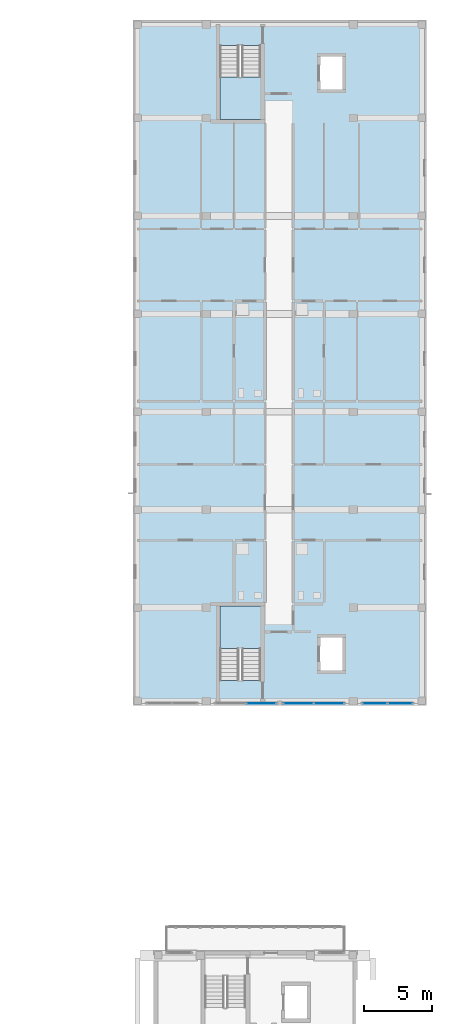
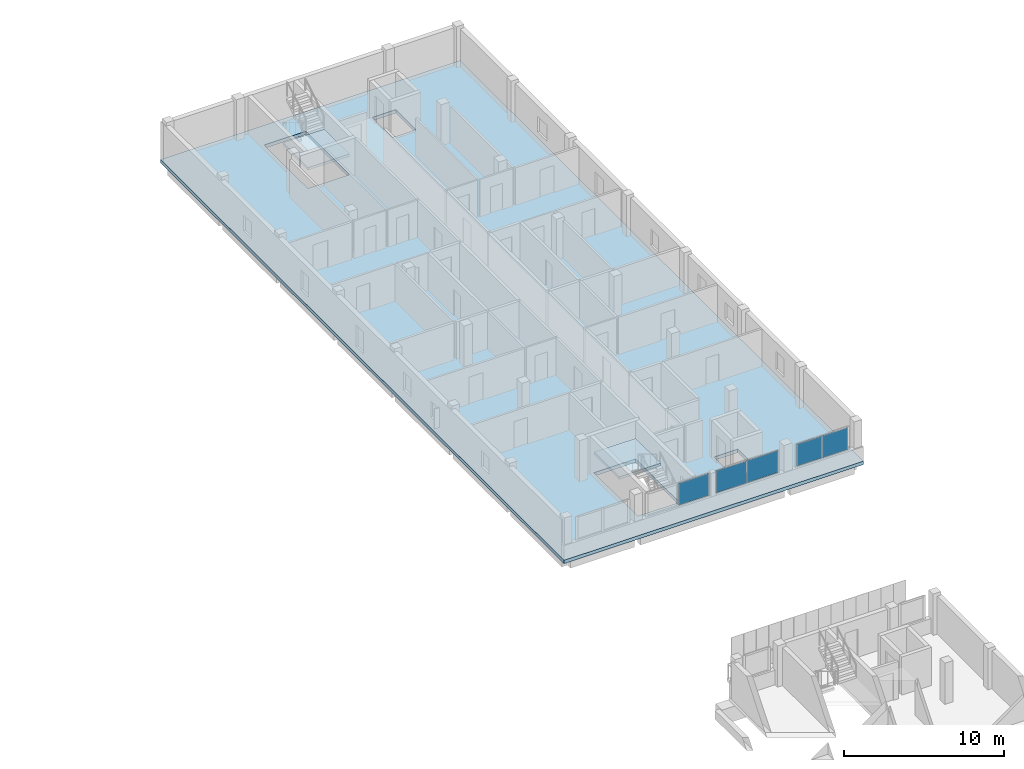
# One storey, part 12 of 38: 5 plates, 3 slabs, 5 elements without a shape of their own.
"""IFC4 building model written with IfcOpenShell, lengths in metres."""

from ifc_helpers import new_model, si_unit, derived_unit, direction, frame, origin, origin_2d, place, context, subcontext, project, spatial, polyline, rectangle, outline, extrude, material, layer, layer_set, type_object, element, aggregate, save


model = new_model("IFC4")

# Units and contexts
model_context = context("Model", 3, precision=1e-05, world=origin(), true_north=direction((0.0, 1.0)))
body_context = subcontext(model_context, "Body", "Model", "MODEL_VIEW")
ifc_project = project(units=[si_unit("LENGTHUNIT", "METRE"), si_unit("AREAUNIT", "SQUARE_METRE"), si_unit("VOLUMEUNIT", "CUBIC_METRE"), si_unit("PLANEANGLEUNIT", "RADIAN"), si_unit("MASSUNIT", "GRAM", prefix="KILO"), derived_unit("THERMALTRANSMITTANCEUNIT", [(si_unit("MASSUNIT", "GRAM", prefix="KILO"), 1), (si_unit("TIMEUNIT", "SECOND"), -3), (si_unit("THERMODYNAMICTEMPERATUREUNIT", "KELVIN"), -1)])], contexts=[model_context])

# Site, building, storey
site_placement = place(None, origin())
site = spatial("IfcSite", under=ifc_project, at=site_placement, CompositionType="ELEMENT")
building_placement = place(site_placement, origin())
building = spatial("IfcBuilding", under=site, at=building_placement, Name="Ochrekiln Boulevard Commons", CompositionType="ELEMENT")
storey_placement = place(building_placement, frame((0.0, 0.0, 24.675048828125)))
storey = spatial("IfcBuildingStorey", under=building, at=storey_placement, Name="L07", CompositionType="ELEMENT", Elevation=24.675048828125)

# Curtain wall, plate
ifc_material_1 = material(Name="Bronze-anodized extruded aluminium 6063-T6", Category="aluminium")
ifc_layer_1 = layer(ifc_material_1, 0.18408203125)
ifc_layer_set_1 = layer_set([ifc_layer_1], Name="Bronze-anodized extruded aluminium 6063-T6")
curtain_wall_type = type_object("IfcCurtainWallType", Name="CW-GABLE-B", PredefinedType="USERDEFINED", material=ifc_layer_set_1)
curtain_wall_1_placement = place(storey_placement, origin())
curtain_wall_1 = element("IfcCurtainWall", 1, at=curtain_wall_1_placement, inside=storey, type_object=curtain_wall_type, Name="Block B L07 Courtyard Glazed Gable Curtain Wall 2", ObjectType="GLAZED CURTAIN WALL", PredefinedType="USERDEFINED")
ifc_material_2 = material(Name="Spectrally selective low-E insulated glazing", Category="glass")
ifc_layer_2 = layer(ifc_material_2, 0.02392578125)
ifc_layer_set_2 = layer_set([ifc_layer_2], Name="Spectrally selective low-E insulated glazing")
plate_type_1 = type_object("IfcPlateType", Name="CWP-GLZ-1", PredefinedType="CURTAIN_PANEL", material=ifc_layer_set_2)
plate_1_placement = place(storey_placement, frame((160.638671875, 68.570068359375, 1.1748046875), z_axis=(0.0, 0.0, 1.0), x_axis=(1.0, 0.0, 0.0)))
plate_1 = element("IfcPlate", 2, at=plate_1_placement, type_object=plate_type_1, Name="CW-02 panel 2.1", PredefinedType="CURTAIN_PANEL", context=body_context, shape_type="SweptSolid", body=[
    extrude(rectangle(XDim=2.1923828125, YDim=0.02392578125, at=origin_2d()), origin(), (0.0, 0.0, 1.0), 1.659912109375),
])
aggregate(curtain_wall_1, [plate_1])

# Curtain wall, plates
curtain_wall_2_placement = place(storey_placement, origin())
curtain_wall_2 = element("IfcCurtainWall", 3, at=curtain_wall_2_placement, inside=storey, type_object=curtain_wall_type, Name="Block B L07 Courtyard Glazed Gable Curtain Wall 3", ObjectType="GLAZED CURTAIN WALL", PredefinedType="USERDEFINED")
ifc_layer_3 = layer(ifc_material_2, 0.030029296875)
ifc_layer_set_3 = layer_set([ifc_layer_3], Name="Spectrally selective low-E insulated glazing")
plate_type_2 = type_object("IfcPlateType", Name="CWP-GLZ-2", PredefinedType="CURTAIN_PANEL", material=ifc_layer_set_3)
plate_2_placement = place(storey_placement, frame((163.360107421875, 68.570068359375, 1.169921875), z_axis=(0.0, 0.0, 1.0), x_axis=(1.0, 0.0, 0.0)))
plate_2 = element("IfcPlate", 4, at=plate_2_placement, type_object=plate_type_2, Name="CW-02 panel 1.1", PredefinedType="CURTAIN_PANEL", context=body_context, shape_type="SweptSolid", body=[
    extrude(rectangle(XDim=2.199951171875, YDim=0.030029296875, at=origin_2d()), origin(), (0.0, 0.0, 1.0), 1.669921875),
])
plate_3_placement = place(storey_placement, frame((165.6201171875, 68.570068359375, 1.169921875), z_axis=(0.0, 0.0, 1.0), x_axis=(1.0, 0.0, 0.0)))
plate_3 = element("IfcPlate", 5, at=plate_3_placement, type_object=plate_type_2, Name="CW-02 panel 2.1", PredefinedType="CURTAIN_PANEL", context=body_context, shape_type="SweptSolid", body=[
    extrude(rectangle(XDim=2.199951171875, YDim=0.030029296875, at=origin_2d()), origin(), (0.0, 0.0, 1.0), 1.669921875),
])
aggregate(curtain_wall_2, [plate_2, plate_3])

curtain_wall_3_placement = place(storey_placement, origin())
curtain_wall_3 = element("IfcCurtainWall", 6, at=curtain_wall_3_placement, inside=storey, type_object=curtain_wall_type, Name="Block B L07 Courtyard Glazed Gable Curtain Wall 4", ObjectType="GLAZED CURTAIN WALL", PredefinedType="USERDEFINED")
ifc_layer_4 = layer(ifc_material_2, 0.035888671875)
ifc_layer_set_4 = layer_set([ifc_layer_4], Name="Spectrally selective low-E insulated glazing")
plate_type_3 = type_object("IfcPlateType", Name="CWP-GLZ-3", PredefinedType="CURTAIN_PANEL", material=ifc_layer_set_4)
plate_4_placement = place(storey_placement, frame((168.98876953125, 68.570068359375, 1.1748046875), z_axis=(0.0, 0.0, 1.0), x_axis=(1.0, 0.0, 0.0)))
plate_4 = element("IfcPlate", 7, at=plate_4_placement, type_object=plate_type_3, Name="CW-02 panel 1.1", PredefinedType="CURTAIN_PANEL", context=body_context, shape_type="SweptSolid", body=[
    extrude(rectangle(XDim=1.8076171875, YDim=0.035888671875, at=origin_2d()), origin(), (0.0, 0.0, 1.0), 1.659912109375),
])
plate_5_placement = place(storey_placement, frame((170.861328125, 68.570068359375, 1.1748046875), z_axis=(0.0, 0.0, 1.0), x_axis=(1.0, 0.0, 0.0)))
plate_5 = element("IfcPlate", 8, at=plate_5_placement, type_object=plate_type_3, Name="CW-02 panel 2.1", PredefinedType="CURTAIN_PANEL", context=body_context, shape_type="SweptSolid", body=[
    extrude(rectangle(XDim=1.8076171875, YDim=0.035888671875, at=origin_2d()), origin(), (0.0, 0.0, 1.0), 1.659912109375),
])
aggregate(curtain_wall_3, [plate_4, plate_5])

# Stair, slab
ifc_material_3 = material(Name="Concrete C35/45", Category="concrete")
stair_type = type_object("IfcStairType", Name="STR-DL-315", PredefinedType="TWO_STRAIGHT_RUN_STAIR", material=ifc_material_3)
stair_1_placement = place(storey_placement, origin())
stair_1 = element("IfcStair", 9, at=stair_1_placement, inside=storey, type_object=stair_type, Name="L07 Enclosed Exit Stair ST-B1", PredefinedType="TWO_STRAIGHT_RUN_STAIR")
ifc_layer_5 = layer(ifc_material_3, 0.199951171875)
ifc_layer_set_5 = layer_set([ifc_layer_5], Name="Concrete C35/45")
slab_type_1 = type_object("IfcSlabType", Name="SLB-LND-200", PredefinedType="LANDING", material=ifc_layer_set_5)
slab_1_placement = place(storey_placement, frame((0.0, 0.0, 1.375)))
slab_1 = element("IfcSlab", 10, at=slab_1_placement, type_object=slab_type_1, Name="ST-B1 landing 1", PredefinedType="LANDING", context=body_context, shape_type="SweptSolid", body=[
    extrude(outline(polyline([(160.60009765625, 72.590087890625), (160.60009765625, 75.719970703125), (157.60009765625, 75.719970703125), (157.60009765625, 72.590087890625), (160.60009765625, 72.590087890625)])), origin(), (0.0, 0.0, 1.0), 0.199951171875),
])
aggregate(stair_1, [slab_1])

stair_2_placement = place(storey_placement, origin())
stair_2 = element("IfcStair", 11, at=stair_2_placement, inside=storey, type_object=stair_type, Name="L07 Enclosed Exit Stair ST-B2", PredefinedType="TWO_STRAIGHT_RUN_STAIR")
slab_2_placement = place(storey_placement, frame((0.0, 0.0, 1.375)))
slab_2 = element("IfcSlab", 12, at=slab_2_placement, type_object=slab_type_1, Name="ST-B2 landing 1", PredefinedType="LANDING", context=body_context, shape_type="SweptSolid", body=[
    extrude(outline(polyline([(157.60009765625, 114.610107421875), (157.60009765625, 111.47998046875), (160.60009765625, 111.47998046875), (160.60009765625, 114.610107421875), (157.60009765625, 114.610107421875)])), origin(), (0.0, 0.0, 1.0), 0.199951171875),
])
aggregate(stair_2, [slab_2])

# Slab
ifc_layer_6 = layer(ifc_material_3, 0.260009765625)
ifc_layer_set_6 = layer_set([ifc_layer_6], Name="Concrete C35/45")
slab_type_2 = type_object("IfcSlabType", Name="SLB-RES-260", PredefinedType="FLOOR", material=ifc_layer_set_6)
slab_3_placement = place(storey_placement, frame((0.0, 0.0, -0.260009765625)))
element("IfcSlab", 13, at=slab_3_placement, inside=storey, type_object=slab_type_2, Name="Block B L07 Reinforced Concrete Floor Slab", PredefinedType="FLOOR", context=body_context, shape_type="SweptSolid", body=[
    extrude(outline(polyline([(151.199951171875, 68.39990234375), (172.800048828125, 68.39990234375), (172.800048828125, 118.800048828125), (151.199951171875, 118.800048828125), (151.199951171875, 68.39990234375)]), holes=[polyline([(160.60009765625, 70.2705078125), (160.60009765625, 75.719970703125), (157.60009765625, 75.719970703125), (157.60009765625, 70.2705078125), (160.60009765625, 70.2705078125)]), polyline([(157.60009765625, 116.929443359375), (157.60009765625, 111.47998046875), (160.60009765625, 111.47998046875), (160.60009765625, 116.929443359375), (157.60009765625, 116.929443359375)]), polyline([(164.949951171875, 70.949951171875), (166.64990234375, 70.949951171875), (166.64990234375, 73.449951171875), (164.949951171875, 73.449951171875), (164.949951171875, 70.949951171875)]), polyline([(164.949951171875, 113.64990234375), (166.64990234375, 113.64990234375), (166.64990234375, 116.14990234375), (164.949951171875, 116.14990234375), (164.949951171875, 113.64990234375)])]), origin(), (0.0, 0.0, 1.0), 0.260009765625),
])

save(model, "model.ifc")
